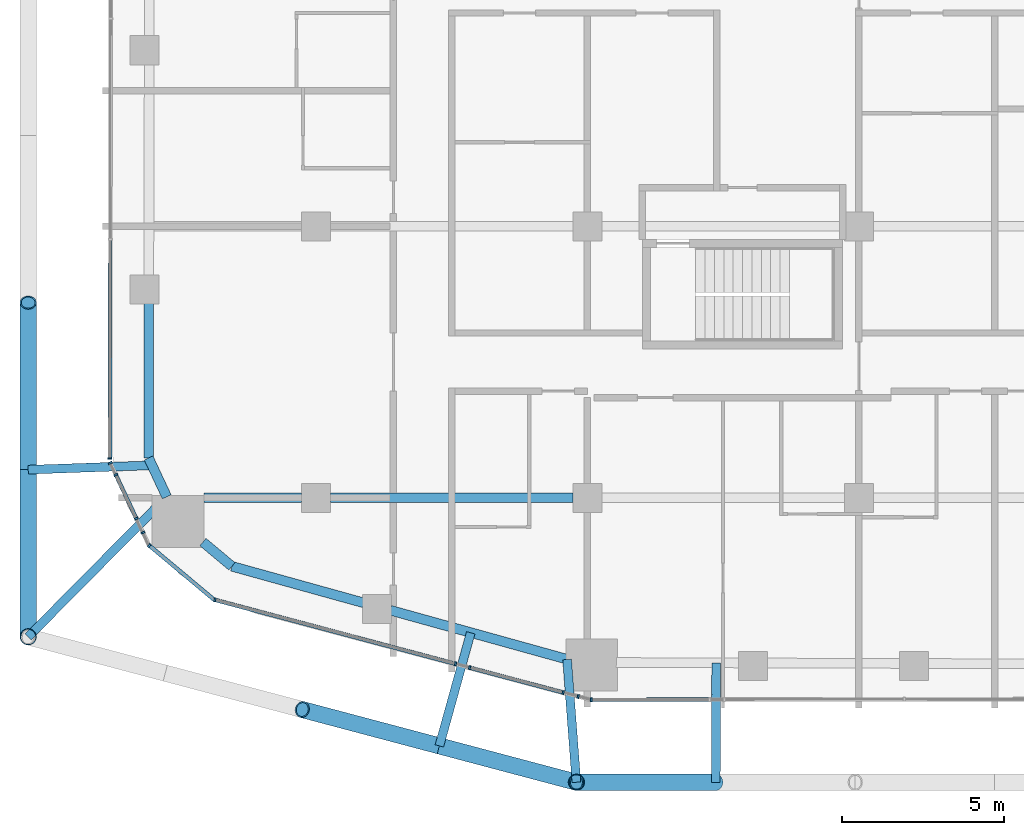
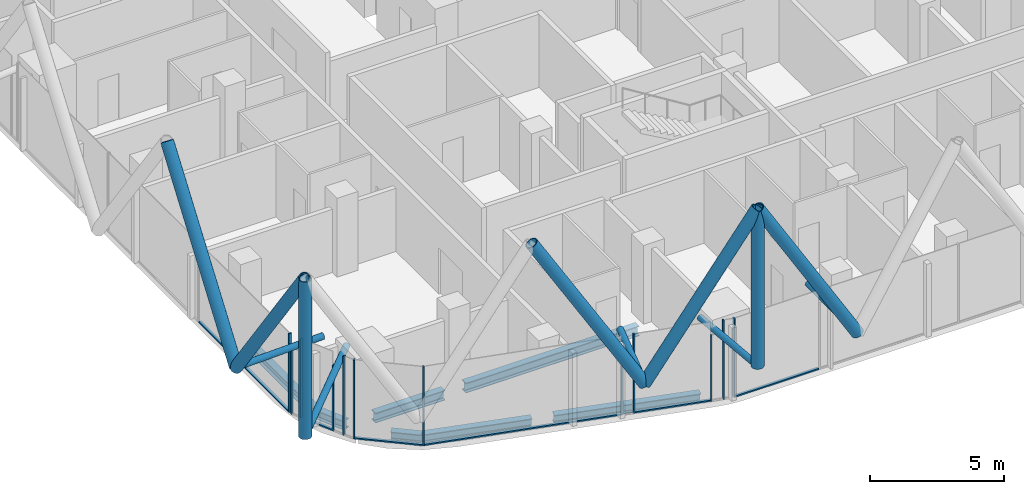
# One storey, part 2 of 36: 30 members, 7 beams, 12 elements without a shape of their own.
"""IFC4 building model written with IfcOpenShell, lengths in metres."""

from ifc_helpers import new_model, si_unit, direction, frame, origin, origin_2d, place, context, subcontext, project, spatial, rectangle, hollow_circle, i_section, extrude, material, layer, layer_set, material_profile, profile_set, type_object, element, aggregate, save


model = new_model("IFC4")

# Units and contexts
model_context = context("Model", 3, precision=1e-05, world=origin(), true_north=direction((0.0, 1.0)))
body_context = subcontext(model_context, "Body", "Model", "MODEL_VIEW")
ifc_project = project(units=[si_unit("LENGTHUNIT", "METRE"), si_unit("AREAUNIT", "SQUARE_METRE"), si_unit("VOLUMEUNIT", "CUBIC_METRE"), si_unit("PLANEANGLEUNIT", "RADIAN"), si_unit("MASSUNIT", "GRAM", prefix="KILO")], contexts=[model_context])

# Site, building, storey
site_placement = place(None, origin())
site = spatial("IfcSite", under=ifc_project, at=site_placement, CompositionType="ELEMENT")
building_placement = place(site_placement, origin())
building = spatial("IfcBuilding", under=site, at=building_placement, Name="Marenta Gate Hotel Tower", CompositionType="ELEMENT")
storey_placement = place(building_placement, frame((0.0, 0.0, 158.89990234375)))
storey = spatial("IfcBuildingStorey", under=building, at=storey_placement, Name="L37", CompositionType="ELEMENT", Elevation=158.89990234375)

# Members
ifc_material_1 = material(Name="Steel S355J2W", Category="steel")
ifc_material_profile_1 = material_profile(ifc_material_1, hollow_circle(Radius=0.25390625, WallThickness=0.02490234375, at=origin_2d()), Name="CHS 508x25")
ifc_profile_set_1 = profile_set([ifc_material_profile_1], Name="Steel S355J2W")
member_type_1 = type_object("IfcMemberType", Name="Diagrid corner post Z2 CHS 508x25", PredefinedType="POST", material=ifc_profile_set_1)
for number, where, z_axis, x_axis, name in (
    (1, (-12.93896484375, -25.60009765625, 3.14013671875), (0.0, 0.0, 1.0), (1.0, 0.0, 0.0), "L37-DR-4"),
    (2, (-29.89990234375, -21.10009765625, 3.14013671875), (0.0, 0.0, 1.0), (1.0, 0.0, 0.0), "L37-DR-5"),
):
    element("IfcMember", number, at=place(storey_placement, frame(where, z_axis=z_axis, x_axis=x_axis)), inside=storey, type_object=member_type_1, Name=name, PredefinedType="POST", context=body_context, shape_type="SweptSolid", body=[
        extrude(hollow_circle(Radius=0.25390625, WallThickness=0.02490234375, at=origin_2d()), origin(), (0.0, 0.0, 1.0), 7.199951171875),
    ])
ifc_material_2 = material(Name="Steel S355J2W", Category="steel")
ifc_material_profile_2 = material_profile(ifc_material_2, hollow_circle(Radius=0.25390625, WallThickness=0.0400390625, at=origin_2d()), Name="CHS 508x40")
ifc_profile_set_2 = profile_set([ifc_material_profile_2], Name="Steel S355J2W")
member_type_2 = type_object("IfcMemberType", Name="Diagrid diagonal Z2 CHS 508x40", PredefinedType="BRACE", material=ifc_profile_set_2)
member_1_placement = place(storey_placement, frame((-8.6259765625, -25.60009765625, 3.14013671875), z_axis=(-0.513883902774, 0.0, 0.857859740558), x_axis=(0.0, -1.0, 0.0)))
element("IfcMember", 3, at=member_1_placement, inside=storey, type_object=member_type_2, Name="L37-DG-20", PredefinedType="BRACE", context=body_context, shape_type="SweptSolid", body=[
    extrude(hollow_circle(Radius=0.25390625, WallThickness=0.0400390625, at=origin_2d()), origin(), (0.0, 0.0, 1.0), 8.392822265625),
])
for number, where, z_axis, x_axis, name in (
    (4, (-17.17919921875, -24.47509765625, 3.14013671875), (0.502924018666, -0.133433548941, 0.853968921838), (0.256443187528, 0.96655930577, 0.0), "L37-DG-21"),
    (5, (-17.17919921875, -24.47509765625, 3.14013671875), (-0.502924018666, 0.133433548941, 0.853968921838), (-0.256443187528, -0.96655930577, 0.0), "L37-DG-22"),
):
    element("IfcMember", number, at=place(storey_placement, frame(where, z_axis=z_axis, x_axis=x_axis)), inside=storey, type_object=member_type_2, Name=name, PredefinedType="BRACE", context=body_context, shape_type="SweptSolid", body=[
        extrude(hollow_circle(Radius=0.25390625, WallThickness=0.0400390625, at=origin_2d()), origin(), (0.0, 0.0, 1.0), 8.43115234375),
    ])
member_2_placement = place(storey_placement, frame((-29.89990234375, -15.93017578125, 3.14013671875), z_axis=(0.0, -0.583260841117, 0.812284919975), x_axis=(1.0, 0.0, 0.0)))
element("IfcMember", 6, at=member_2_placement, inside=storey, type_object=member_type_2, Name="L37-DG-25", PredefinedType="BRACE", context=body_context, shape_type="SweptSolid", body=[
    extrude(hollow_circle(Radius=0.25390625, WallThickness=0.0400390625, at=origin_2d()), origin(), (0.0, 0.0, 1.0), 8.86376953125),
])
member_3_placement = place(storey_placement, frame((-29.89990234375, -15.93017578125, 3.14013671875), z_axis=(0.0, 0.583279014058, 0.812271870595), x_axis=(-1.0, 0.0, 0.0)))
element("IfcMember", 7, at=member_3_placement, inside=storey, type_object=member_type_2, Name="L37-DG-26", PredefinedType="BRACE", context=body_context, shape_type="SweptSolid", body=[
    extrude(hollow_circle(Radius=0.25390625, WallThickness=0.0400390625, at=origin_2d()), origin(), (0.0, 0.0, 1.0), 8.864013671875),
])

# Beams
ifc_material_3 = material(Name="Steel S355", Category="steel")
ifc_material_profile_3 = material_profile(ifc_material_3, i_section(OverallWidth=0.300048828125, OverallDepth=0.39990234375, WebThickness=0.013427734375, FlangeThickness=0.02392578125, FilletRadius=0.027099609375, at=origin_2d()), Name="HEB 400")
ifc_profile_set_3 = profile_set([ifc_material_profile_3], Name="Steel S355")
beam_type_1 = type_object("IfcBeamType", Name="Edge beam HEB 400", PredefinedType="SPANDREL", material=ifc_profile_set_3)
beam_1_placement = place(storey_placement, frame((-13.227783203125, -21.794677734375, -0.4599609375), z_axis=(-0.963615860477, 0.267290990189, 0.0), x_axis=(-0.267290990189, -0.963615860477, 0.0)))
element("IfcBeam", 8, at=beam_1_placement, inside=storey, type_object=beam_type_1, Name="L37-EB-1", PredefinedType="SPANDREL", context=body_context, shape_type="SweptSolid", body=[
    extrude(i_section(OverallWidth=0.300048828125, OverallDepth=0.39990234375, WebThickness=0.013427734375, FlangeThickness=0.02392578125, FilletRadius=0.027099609375, at=origin_2d()), origin(), (0.0, 0.0, 1.0), 5.674072265625),
])
beam_2_placement = place(storey_placement, frame((-19.518310546875, -20.0498046875, -0.4599609375), z_axis=(-0.963630213062, 0.267239242016, 0.0), x_axis=(-0.267239242016, -0.963630213062, 0.0)))
element("IfcBeam", 9, at=beam_2_placement, inside=storey, type_object=beam_type_1, Name="L37-EB-2", PredefinedType="SPANDREL", context=body_context, shape_type="SweptSolid", body=[
    extrude(i_section(OverallWidth=0.300048828125, OverallDepth=0.39990234375, WebThickness=0.013427734375, FlangeThickness=0.02392578125, FilletRadius=0.027099609375, at=origin_2d()), origin(), (0.0, 0.0, 1.0), 4.232666015625),
])
beam_3_placement = place(storey_placement, frame((-23.596923828125, -18.918701171875, -0.4599609375), z_axis=(-0.767073132856, 0.641559668972, 0.0), x_axis=(-0.641559668972, -0.767073132856, 0.0)))
element("IfcBeam", 10, at=beam_3_placement, inside=storey, type_object=beam_type_1, Name="L37-EB-3", PredefinedType="SPANDREL", context=body_context, shape_type="SweptSolid", body=[
    extrude(i_section(OverallWidth=0.300048828125, OverallDepth=0.39990234375, WebThickness=0.013427734375, FlangeThickness=0.02392578125, FilletRadius=0.027099609375, at=origin_2d()), origin(), (0.0, 0.0, 1.0), 1.1689453125),
])
beam_4_placement = place(storey_placement, frame((-25.613525390625, -16.769287109375, -0.4599609375), z_axis=(-0.423207780269, 0.906032656541, 0.0), x_axis=(-0.906032656541, -0.423207780269, 0.0)))
element("IfcBeam", 11, at=beam_4_placement, inside=storey, type_object=beam_type_1, Name="L37-EB-4", PredefinedType="SPANDREL", context=body_context, shape_type="SweptSolid", body=[
    extrude(i_section(OverallWidth=0.300048828125, OverallDepth=0.39990234375, WebThickness=0.013427734375, FlangeThickness=0.02392578125, FilletRadius=0.027099609375, at=origin_2d()), origin(), (0.0, 0.0, 1.0), 1.326904296875),
])
beam_5_placement = place(storey_placement, frame((-26.175048828125, -15.567138671875, -0.4599609375), z_axis=(0.001371810517, 0.999999059068, 0.0), x_axis=(-0.999999059068, 0.001371810517, 0.0)))
element("IfcBeam", 12, at=beam_5_placement, inside=storey, type_object=beam_type_1, Name="L37-EB-5", PredefinedType="SPANDREL", context=body_context, shape_type="SweptSolid", body=[
    extrude(i_section(OverallWidth=0.300048828125, OverallDepth=0.39990234375, WebThickness=0.013427734375, FlangeThickness=0.02392578125, FilletRadius=0.027099609375, at=origin_2d()), origin(), (0.0, 0.0, 1.0), 4.80517578125),
])

# Members
ifc_material_4 = material(Name="Steel S355J2W", Category="steel")
ifc_material_profile_4 = material_profile(ifc_material_4, hollow_circle(Radius=0.136474609375, WallThickness=0.012451171875, at=origin_2d()), Name="CHS 273x12.5")
ifc_profile_set_4 = profile_set([ifc_material_profile_4], Name="Steel S355J2W")
member_type_3 = type_object("IfcMemberType", Name="Floor tie CHS 273x12.5", PredefinedType="STRUT", material=ifc_profile_set_4)
member_4_placement = place(storey_placement, frame((-8.6259765625, -25.60009765625, 3.14013671875), z_axis=(0.003177318972, 0.999994952309, 0.0), x_axis=(-0.999994952309, 0.003177318972, 0.0)))
element("IfcMember", 13, at=member_4_placement, inside=storey, type_object=member_type_3, Name="L37-DR-15", PredefinedType="STRUT", context=body_context, shape_type="SweptSolid", body=[
    extrude(hollow_circle(Radius=0.136474609375, WallThickness=0.012451171875, at=origin_2d()), origin(), (0.0, 0.0, 1.0), 3.688232421875),
])
member_5_placement = place(storey_placement, frame((-12.93896484375, -25.60009765625, 3.14013671875), z_axis=(-0.075691735753, 0.997131265751, 0.0), x_axis=(-0.997131265751, -0.075691735753, 0.0)))
element("IfcMember", 14, at=member_5_placement, inside=storey, type_object=member_type_3, Name="L37-DR-16", PredefinedType="STRUT", context=body_context, shape_type="SweptSolid", body=[
    extrude(hollow_circle(Radius=0.136474609375, WallThickness=0.012451171875, at=origin_2d()), origin(), (0.0, 0.0, 1.0), 3.809326171875),
])
member_6_placement = place(storey_placement, frame((-17.17919921875, -24.47509765625, 3.14013671875), z_axis=(0.26723825199, 0.963630487621, 0.0), x_axis=(-0.963630487621, 0.26723825199, 0.0)))
element("IfcMember", 15, at=member_6_placement, inside=storey, type_object=member_type_3, Name="L37-DR-17", PredefinedType="STRUT", context=body_context, shape_type="SweptSolid", body=[
    extrude(hollow_circle(Radius=0.136474609375, WallThickness=0.012451171875, at=origin_2d()), origin(), (0.0, 0.0, 1.0), 3.63232421875),
])
member_7_placement = place(storey_placement, frame((-29.89990234375, -21.10009765625, 3.14013671875), z_axis=(0.703467207322, 0.710727717359, 0.0), x_axis=(-0.710727717359, 0.703467207322, 0.0)))
element("IfcMember", 16, at=member_7_placement, inside=storey, type_object=member_type_3, Name="L37-DR-18", PredefinedType="STRUT", context=body_context, shape_type="SweptSolid", body=[
    extrude(hollow_circle(Radius=0.136474609375, WallThickness=0.012451171875, at=origin_2d()), origin(), (0.0, 0.0, 1.0), 6.086181640625),
])
member_8_placement = place(storey_placement, frame((-29.89990234375, -15.93017578125, 3.14013671875), z_axis=(0.999365777603, 0.035609585179, 0.0), x_axis=(-0.035609585179, 0.999365777603, 0.0)))
element("IfcMember", 17, at=member_8_placement, inside=storey, type_object=member_type_3, Name="L37-DR-19", PredefinedType="STRUT", context=body_context, shape_type="SweptSolid", body=[
    extrude(hollow_circle(Radius=0.136474609375, WallThickness=0.012451171875, at=origin_2d()), origin(), (0.0, 0.0, 1.0), 3.82568359375),
])

# Beams
ifc_material_5 = material(Name="Steel S355", Category="steel")
ifc_material_profile_5 = material_profile(ifc_material_5, i_section(OverallWidth=0.300048828125, OverallDepth=0.449951171875, WebThickness=0.013916015625, FlangeThickness=0.02587890625, FilletRadius=0.027099609375, at=origin_2d()), Name="HEB 450")
ifc_profile_set_5 = profile_set([ifc_material_profile_5], Name="Steel S355")
beam_type_2 = type_object("IfcBeamType", Name="Girder HEB 450", PredefinedType="BEAM", material=ifc_profile_set_5)
beam_6_placement = place(storey_placement, frame((-24.462890625, -16.800048828125, -0.48486328125), z_axis=(1.0, 0.0, 0.0), x_axis=(0.0, 1.0, 0.0)))
element("IfcBeam", 18, at=beam_6_placement, inside=storey, type_object=beam_type_2, Name="L37-GD-1", PredefinedType="BEAM", context=body_context, shape_type="SweptSolid", body=[
    extrude(i_section(OverallWidth=0.300048828125, OverallDepth=0.449951171875, WebThickness=0.013916015625, FlangeThickness=0.02587890625, FilletRadius=0.027099609375, at=origin_2d()), origin(), (0.0, 0.0, 1.0), 3.012939453125),
])
beam_7_placement = place(storey_placement, frame((-20.550048828125, -16.800048828125, -0.48486328125), z_axis=(1.0, 0.0, 0.0), x_axis=(0.0, 1.0, 0.0)))
element("IfcBeam", 19, at=beam_7_placement, inside=storey, type_object=beam_type_2, Name="L37-GD-2", PredefinedType="BEAM", context=body_context, shape_type="SweptSolid", body=[
    extrude(i_section(OverallWidth=0.300048828125, OverallDepth=0.449951171875, WebThickness=0.013916015625, FlangeThickness=0.02587890625, FilletRadius=0.027099609375, at=origin_2d()), origin(), (0.0, 0.0, 1.0), 7.5),
])

# Curtain wall, member
ifc_material_6 = material(Name="Tinted insulated glass in bronze anodised frame", Category="glass")
ifc_layer = layer(ifc_material_6, 0.1201171875)
ifc_layer_set = layer_set([ifc_layer], Name="Tinted insulated glass in bronze anodised frame")
curtain_wall_type = type_object("IfcCurtainWallType", Name="Tower unitised curtain wall CW1", PredefinedType="NOTDEFINED", material=ifc_layer_set)
curtain_wall_1_placement = place(storey_placement, origin())
curtain_wall_1 = element("IfcCurtainWall", 20, at=curtain_wall_1_placement, inside=storey, type_object=curtain_wall_type, Name="CW1 run G08", PredefinedType="NOTDEFINED")
ifc_material_7 = material(Name="Bronze anodised aluminium", Category="aluminium")
ifc_material_profile_6 = material_profile(ifc_material_7, rectangle(XDim=0.1201171875, YDim=0.06005859375, at=origin_2d()), Name="Mullion CW1 60x120 bronze anodised aluminium")
ifc_profile_set_6 = profile_set([ifc_material_profile_6], Name="Bronze anodised aluminium")
member_type_4 = type_object("IfcMemberType", Name="Mullion CW1 60x120 bronze anodised aluminium", PredefinedType="MULLION", material=ifc_profile_set_6)
member_9_placement = place(storey_placement, frame((-27.372802734375, -15.58349609375, 0.0), z_axis=(0.0, 0.0, 1.0), x_axis=(0.999998775571, -0.001564882094, 0.0)))
member_9 = element("IfcMember", 21, at=member_9_placement, type_object=member_type_4, Name="CW1 mullion 4", PredefinedType="MULLION", context=body_context, shape_type="SweptSolid", body=[
    extrude(rectangle(XDim=0.1201171875, YDim=0.06005859375, at=origin_2d()), origin(), (0.0, 0.0, 1.0), 3.60009765625),
])

curtain_wall_2_placement = place(storey_placement, origin())
curtain_wall_2 = element("IfcCurtainWall", 22, at=curtain_wall_2_placement, inside=storey, type_object=curtain_wall_type, Name="CW1 run G09", PredefinedType="NOTDEFINED")
member_10_placement = place(storey_placement, frame((-27.3603515625, -15.720947265625, 0.0), z_axis=(0.0, 0.0, 1.0), x_axis=(0.905968482447, 0.423345141478, 0.0)))
member_10 = element("IfcMember", 23, at=member_10_placement, type_object=member_type_4, Name="CW1 mullion 1", PredefinedType="MULLION", context=body_context, shape_type="SweptSolid", body=[
    extrude(rectangle(XDim=0.1201171875, YDim=0.06005859375, at=origin_2d()), origin(), (0.0, 0.0, 1.0), 3.00048828125),
])
aggregate(curtain_wall_2, [member_10])

curtain_wall_3_placement = place(storey_placement, origin())
curtain_wall_3 = element("IfcCurtainWall", 24, at=curtain_wall_3_placement, inside=storey, type_object=curtain_wall_type, Name="CW1 run G10", PredefinedType="NOTDEFINED")
member_11_placement = place(storey_placement, frame((-27.18896484375, -16.087890625, 0.0), z_axis=(0.0, 0.0, 1.0), x_axis=(0.905967431983, 0.423347389488, 0.0)))
member_11 = element("IfcMember", 25, at=member_11_placement, type_object=member_type_4, Name="CW1 mullion 1", PredefinedType="MULLION", context=body_context, shape_type="SweptSolid", body=[
    extrude(rectangle(XDim=0.1201171875, YDim=0.06005859375, at=origin_2d()), origin(), (0.0, 0.0, 1.0), 3.60009765625),
])

curtain_wall_4_placement = place(storey_placement, origin())
curtain_wall_4 = element("IfcCurtainWall", 26, at=curtain_wall_4_placement, inside=storey, type_object=curtain_wall_type, Name="CW1 run G11", PredefinedType="NOTDEFINED")
member_12_placement = place(storey_placement, frame((-26.556884765625, -17.4404296875, 0.0), z_axis=(0.0, 0.0, 1.0), x_axis=(0.905960772222, 0.423361641148, 0.0)))
member_12 = element("IfcMember", 27, at=member_12_placement, type_object=member_type_4, Name="CW1 mullion 1", PredefinedType="MULLION", context=body_context, shape_type="SweptSolid", body=[
    extrude(rectangle(XDim=0.1201171875, YDim=0.06005859375, at=origin_2d()), origin(), (0.0, 0.0, 1.0), 3.00048828125),
])
aggregate(curtain_wall_4, [member_12])

curtain_wall_5_placement = place(storey_placement, origin())
curtain_wall_5 = element("IfcCurtainWall", 28, at=curtain_wall_5_placement, inside=storey, type_object=curtain_wall_type, Name="CW1 run G12", PredefinedType="NOTDEFINED")
member_13_placement = place(storey_placement, frame((-26.352294921875, -17.8779296875, 0.0), z_axis=(0.0, 0.0, 1.0), x_axis=(0.906001027936, 0.42327548639, 0.0)))
member_13 = element("IfcMember", 29, at=member_13_placement, type_object=member_type_4, Name="CW1 mullion 1", PredefinedType="MULLION", context=body_context, shape_type="SweptSolid", body=[
    extrude(rectangle(XDim=0.1201171875, YDim=0.06005859375, at=origin_2d()), origin(), (0.0, 0.0, 1.0), 3.60009765625),
])
aggregate(curtain_wall_5, [member_13])

curtain_wall_6_placement = place(storey_placement, origin())
curtain_wall_6 = element("IfcCurtainWall", 30, at=curtain_wall_6_placement, inside=storey, type_object=curtain_wall_type, Name="CW1 run G13", PredefinedType="NOTDEFINED")
member_14_placement = place(storey_placement, frame((-26.152099609375, -18.27685546875, 0.0), z_axis=(0.0, 0.0, 1.0), x_axis=(0.641512168126, 0.767112858807, 0.0)))
member_14 = element("IfcMember", 31, at=member_14_placement, type_object=member_type_4, Name="CW1 mullion 1", PredefinedType="MULLION", context=body_context, shape_type="SweptSolid", body=[
    extrude(rectangle(XDim=0.1201171875, YDim=0.06005859375, at=origin_2d()), origin(), (0.0, 0.0, 1.0), 3.60009765625),
])

curtain_wall_7_placement = place(storey_placement, origin())
curtain_wall_7 = element("IfcCurtainWall", 32, at=curtain_wall_7_placement, inside=storey, type_object=curtain_wall_type, Name="CW1 run G14", PredefinedType="NOTDEFINED")
member_15_placement = place(storey_placement, frame((-24.12451171875, -19.955810546875, 0.0), z_axis=(0.0, 0.0, 1.0), x_axis=(0.257146376841, 0.96637246488, 0.0)))
member_15 = element("IfcMember", 33, at=member_15_placement, type_object=member_type_4, Name="CW1 mullion 1", PredefinedType="MULLION", context=body_context, shape_type="SweptSolid", body=[
    extrude(rectangle(XDim=0.1201171875, YDim=0.06005859375, at=origin_2d()), origin(), (0.0, 0.0, 1.0), 3.60009765625),
])

curtain_wall_8_placement = place(storey_placement, origin())
curtain_wall_8 = element("IfcCurtainWall", 34, at=curtain_wall_8_placement, inside=storey, type_object=curtain_wall_type, Name="CW1 run G15", PredefinedType="NOTDEFINED")
member_16_placement = place(storey_placement, frame((-16.67919921875, -21.93701171875, 0.0), z_axis=(0.0, 0.0, 1.0), x_axis=(0.257154287199, 0.966370359942, 0.0)))
member_16 = element("IfcMember", 35, at=member_16_placement, type_object=member_type_4, Name="CW1 mullion 1", PredefinedType="MULLION", context=body_context, shape_type="SweptSolid", body=[
    extrude(rectangle(XDim=0.1201171875, YDim=0.06005859375, at=origin_2d()), origin(), (0.0, 0.0, 1.0), 3.00048828125),
])
aggregate(curtain_wall_8, [member_16])

curtain_wall_9_placement = place(storey_placement, origin())
curtain_wall_9 = element("IfcCurtainWall", 36, at=curtain_wall_9_placement, inside=storey, type_object=curtain_wall_type, Name="CW1 run G16", PredefinedType="NOTDEFINED")
member_17_placement = place(storey_placement, frame((-16.241455078125, -22.053466796875, 0.0), z_axis=(0.0, 0.0, 1.0), x_axis=(0.257134543351, 0.966375613628, 0.0)))
member_17 = element("IfcMember", 37, at=member_17_placement, type_object=member_type_4, Name="CW1 mullion 1", PredefinedType="MULLION", context=body_context, shape_type="SweptSolid", body=[
    extrude(rectangle(XDim=0.1201171875, YDim=0.06005859375, at=origin_2d()), origin(), (0.0, 0.0, 1.0), 3.60009765625),
])

curtain_wall_10_placement = place(storey_placement, origin())
curtain_wall_10 = element("IfcCurtainWall", 38, at=curtain_wall_10_placement, inside=storey, type_object=curtain_wall_type, Name="CW1 run G17", PredefinedType="NOTDEFINED")
member_18_placement = place(storey_placement, frame((-13.348388671875, -22.8232421875, 0.0), z_axis=(0.0, 0.0, 1.0), x_axis=(0.257026845764, 0.966404263523, 0.0)))
member_18 = element("IfcMember", 39, at=member_18_placement, type_object=member_type_4, Name="CW1 mullion 1", PredefinedType="MULLION", context=body_context, shape_type="SweptSolid", body=[
    extrude(rectangle(XDim=0.1201171875, YDim=0.06005859375, at=origin_2d()), origin(), (0.0, 0.0, 1.0), 3.00048828125),
])
aggregate(curtain_wall_10, [member_18])

curtain_wall_11_placement = place(storey_placement, origin())
curtain_wall_11 = element("IfcCurtainWall", 40, at=curtain_wall_11_placement, inside=storey, type_object=curtain_wall_type, Name="CW1 run G18", PredefinedType="NOTDEFINED")
member_19_placement = place(storey_placement, frame((-12.884765625, -22.946533203125, 0.0), z_axis=(0.0, 0.0, 1.0), x_axis=(0.257279256414, 0.966337096576, 0.0)))
member_19 = element("IfcMember", 41, at=member_19_placement, type_object=member_type_4, Name="CW1 mullion 1", PredefinedType="MULLION", context=body_context, shape_type="SweptSolid", body=[
    extrude(rectangle(XDim=0.1201171875, YDim=0.06005859375, at=origin_2d()), origin(), (0.0, 0.0, 1.0), 3.60009765625),
])
aggregate(curtain_wall_11, [member_19])

curtain_wall_12_placement = place(storey_placement, origin())
curtain_wall_12 = element("IfcCurtainWall", 42, at=curtain_wall_12_placement, inside=storey, type_object=curtain_wall_type, Name="CW1 run G19", PredefinedType="NOTDEFINED")
member_20_placement = place(storey_placement, frame((-12.475830078125, -23.04736328125, 0.0), z_axis=(0.0, 0.0, 1.0), x_axis=(-0.001365521987, 0.999999067674, 0.0)))
member_20 = element("IfcMember", 43, at=member_20_placement, type_object=member_type_4, Name="CW1 mullion 1", PredefinedType="MULLION", context=body_context, shape_type="SweptSolid", body=[
    extrude(rectangle(XDim=0.1201171875, YDim=0.06005859375, at=origin_2d()), origin(), (0.0, 0.0, 1.0), 3.60009765625),
])

# Member
ifc_material_8 = material(Name="Bronze anodised aluminium", Category="aluminium")
ifc_material_profile_7 = material_profile(ifc_material_8, rectangle(XDim=0.1201171875, YDim=0.06005859375, at=origin_2d()), Name="Transom CW1 60x120 bronze anodised aluminium")
ifc_profile_set_7 = profile_set([ifc_material_profile_7], Name="Bronze anodised aluminium")
member_type_5 = type_object("IfcMemberType", Name="Transom CW1 60x120 bronze anodised aluminium", PredefinedType="USERDEFINED", material=ifc_profile_set_7)
member_21_placement = place(storey_placement, frame((-27.3623046875, -8.8271484375, 0.030029296875), z_axis=(-0.001560739996, -0.999998782045, 0.0), x_axis=(0.999998782045, -0.001560739996, 0.0)))
member_21 = element("IfcMember", 44, at=member_21_placement, type_object=member_type_5, Name="CW1 transom 3.1", ObjectType="TRANSOM", PredefinedType="USERDEFINED", context=body_context, shape_type="SweptSolid", body=[
    extrude(rectangle(XDim=0.1201171875, YDim=0.06005859375, at=origin_2d()), origin(), (0.0, 0.0, 1.0), 6.726318359375),
])

aggregate(curtain_wall_1, [member_9, member_21])

member_22_placement = place(storey_placement, frame((-27.17626953125, -16.114990234375, 0.030029296875), z_axis=(0.423342396771, -0.905969765001, 0.0), x_axis=(0.905969765001, 0.423342396771, 0.0)))
member_22 = element("IfcMember", 45, at=member_22_placement, type_object=member_type_5, Name="CW1 transom 1.1", ObjectType="TRANSOM", PredefinedType="USERDEFINED", context=body_context, shape_type="SweptSolid", body=[
    extrude(rectangle(XDim=0.1201171875, YDim=0.06005859375, at=origin_2d()), origin(), (0.0, 0.0, 1.0), 1.43310546875),
])

aggregate(curtain_wall_3, [member_11, member_22])

member_23_placement = place(storey_placement, frame((-26.12890625, -18.296142578125, 0.030029296875), z_axis=(0.767116735682, -0.641507532175, 0.0), x_axis=(0.641507532175, 0.767116735682, 0.0)))
member_23 = element("IfcMember", 46, at=member_23_placement, type_object=member_type_5, Name="CW1 transom 1.1", ObjectType="TRANSOM", PredefinedType="USERDEFINED", context=body_context, shape_type="SweptSolid", body=[
    extrude(rectangle(XDim=0.1201171875, YDim=0.06005859375, at=origin_2d()), origin(), (0.0, 0.0, 1.0), 2.575439453125),
])

aggregate(curtain_wall_6, [member_14, member_23])

member_24_placement = place(storey_placement, frame((-24.095458984375, -19.963623046875, 0.030029296875), z_axis=(0.966376327666, -0.257131859807, 0.0), x_axis=(0.257131859807, 0.966376327666, 0.0)))
member_24 = element("IfcMember", 47, at=member_24_placement, type_object=member_type_5, Name="CW1 transom 1.1", ObjectType="TRANSOM", PredefinedType="USERDEFINED", context=body_context, shape_type="SweptSolid", body=[
    extrude(rectangle(XDim=0.1201171875, YDim=0.06005859375, at=origin_2d()), origin(), (0.0, 0.0, 1.0), 7.644287109375),
])

aggregate(curtain_wall_7, [member_15, member_24])

member_25_placement = place(storey_placement, frame((-16.21240234375, -22.061279296875, 0.030029296875), z_axis=(0.966370170989, -0.257154997275, 0.0), x_axis=(0.257154997275, 0.966370170989, 0.0)))
member_25 = element("IfcMember", 48, at=member_25_placement, type_object=member_type_5, Name="CW1 transom 1.1", ObjectType="TRANSOM", PredefinedType="USERDEFINED", context=body_context, shape_type="SweptSolid", body=[
    extrude(rectangle(XDim=0.1201171875, YDim=0.06005859375, at=origin_2d()), origin(), (0.0, 0.0, 1.0), 2.93359375),
])

aggregate(curtain_wall_9, [member_17, member_25])

member_26_placement = place(storey_placement, frame((-12.44580078125, -23.04736328125, 0.030029296875), z_axis=(0.999999080974, 0.001355747127, 0.0), x_axis=(-0.001355747127, 0.999999080974, 0.0)))
member_26 = element("IfcMember", 49, at=member_26_placement, type_object=member_type_5, Name="CW1 transom 1.1", ObjectType="TRANSOM", PredefinedType="USERDEFINED", context=body_context, shape_type="SweptSolid", body=[
    extrude(rectangle(XDim=0.1201171875, YDim=0.06005859375, at=origin_2d()), origin(), (0.0, 0.0, 1.0), 3.6015625),
])

aggregate(curtain_wall_12, [member_20, member_26])

save(model, "model.ifc")
